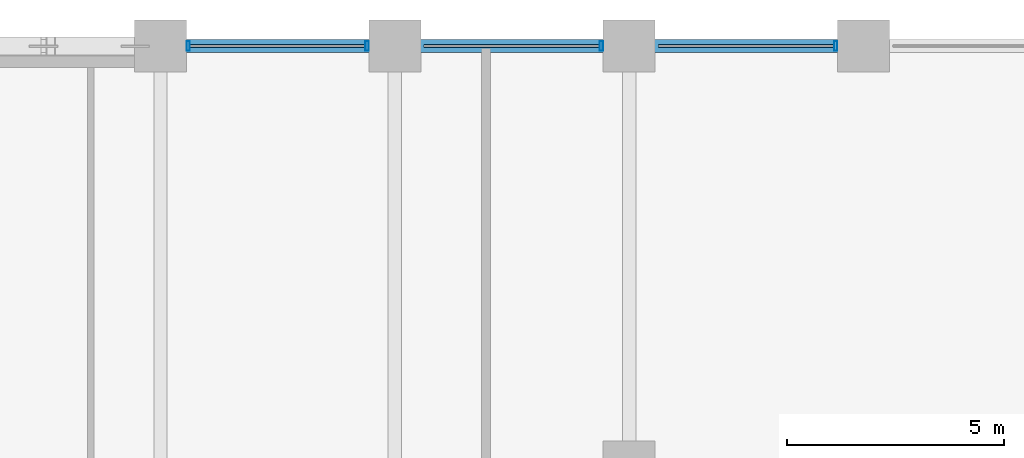
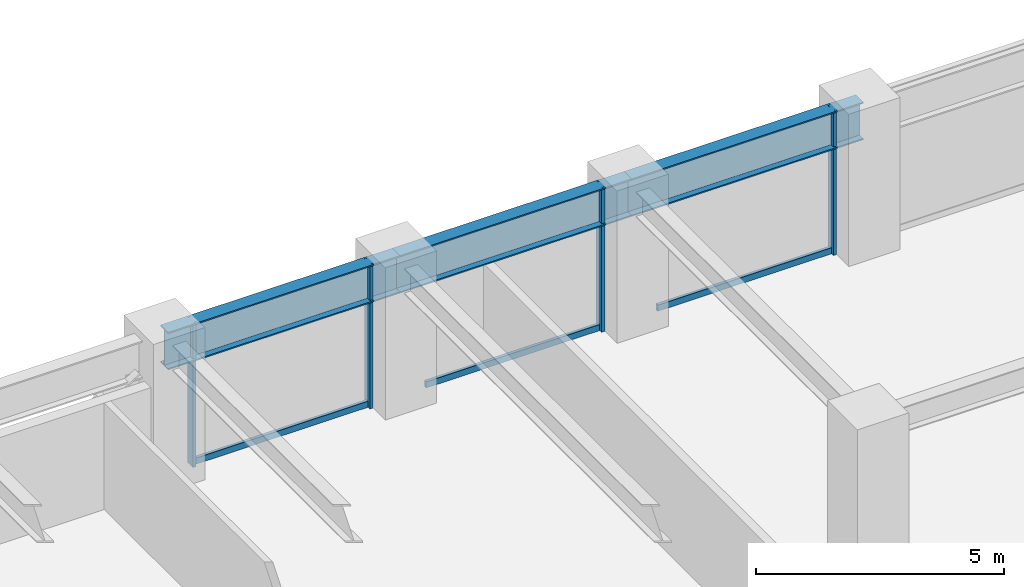
# One storey, part 14 of 26: 7 members, 3 beams, 1 element without a shape of its own.
"""IFC4 building model written with IfcOpenShell, lengths in metres."""

from ifc_helpers import new_model, si_unit, direction, frame, origin, origin_2d, place, context, subcontext, project, spatial, hollow_rectangle, i_section, extrude, material, layer, layer_set, material_profile, profile_set, type_object, element, aggregate, save


model = new_model("IFC4")

# Units and contexts
model_context = context("Model", 3, precision=1e-05, world=origin(), true_north=direction((0.0, 1.0)))
body_context = subcontext(model_context, "Body", "Model", "MODEL_VIEW")
ifc_project = project(units=[si_unit("LENGTHUNIT", "METRE"), si_unit("AREAUNIT", "SQUARE_METRE"), si_unit("VOLUMEUNIT", "CUBIC_METRE"), si_unit("PLANEANGLEUNIT", "RADIAN"), si_unit("MASSUNIT", "GRAM", prefix="KILO")], contexts=[model_context])

# Site, building, storey
site_placement = place(None, origin())
site = spatial("IfcSite", under=ifc_project, at=site_placement, CompositionType="ELEMENT")
building_placement = place(site_placement, origin())
building = spatial("IfcBuilding", under=site, at=building_placement, Name="Surkhivell Harbour Commons", CompositionType="ELEMENT")
storey_placement = place(building_placement, frame((0.0, 0.0, 71.25)))
storey = spatial("IfcBuildingStorey", under=building, at=storey_placement, Name="L18", CompositionType="ELEMENT", Elevation=71.25)

# Beams
ifc_material_1 = material(Name="Steel S460", Category="steel")
ifc_material_profile_1 = material_profile(ifc_material_1, i_section(OverallWidth=0.30810546875, OverallDepth=0.927001953125, WebThickness=0.01953125, FlangeThickness=0.031982421875, at=origin_2d()), Name="UB914x305x289")
ifc_profile_set_1 = profile_set([ifc_material_profile_1], Name="Steel S460")
beam_type = type_object("IfcBeamType", Name="BM-SPN-914B", PredefinedType="SPANDREL", material=ifc_profile_set_1)
beam_1_placement = place(storey_placement, frame((5.39990234375, 25.89990234375, 3.1064453125), z_axis=(1.0, 0.0, 0.0), x_axis=(0.0, 1.0, 0.0)))
element("IfcBeam", 1, at=beam_1_placement, inside=storey, type_object=beam_type, Name="L18 Tube Spandrel (5.4,25.9)", PredefinedType="SPANDREL", context=body_context, shape_type="SweptSolid", body=[
    extrude(i_section(OverallWidth=0.30810546875, OverallDepth=0.927001953125, WebThickness=0.01953125, FlangeThickness=0.031982421875, at=origin_2d()), origin(), (0.0, 0.0, 1.0), 5.400146484375),
])
beam_2_placement = place(storey_placement, frame((10.800048828125, 25.89990234375, 3.1064453125), z_axis=(1.0, 0.0, 0.0), x_axis=(0.0, 1.0, 0.0)))
element("IfcBeam", 2, at=beam_2_placement, inside=storey, type_object=beam_type, Name="L18 Tube Spandrel (10.8,25.9)", PredefinedType="SPANDREL", context=body_context, shape_type="SweptSolid", body=[
    extrude(i_section(OverallWidth=0.30810546875, OverallDepth=0.927001953125, WebThickness=0.01953125, FlangeThickness=0.031982421875, at=origin_2d()), origin(), (0.0, 0.0, 1.0), 5.39990234375),
])
beam_3_placement = place(storey_placement, frame((16.199951171875, 25.89990234375, 3.1064453125), z_axis=(1.0, 0.0, 0.0), x_axis=(0.0, 1.0, 0.0)))
element("IfcBeam", 3, at=beam_3_placement, inside=storey, type_object=beam_type, Name="L18 Tube Spandrel (16.2,25.9)", PredefinedType="SPANDREL", context=body_context, shape_type="SweptSolid", body=[
    extrude(i_section(OverallWidth=0.30810546875, OverallDepth=0.927001953125, WebThickness=0.01953125, FlangeThickness=0.031982421875, at=origin_2d()), origin(), (0.0, 0.0, 1.0), 5.400146484375),
])

# Curtain wall, members
ifc_material_2 = material(Name="Anodised pale-metal aluminium and insulated glazing", Category="aluminium")
ifc_layer = layer(ifc_material_2, 0.219970703125)
ifc_layer_set = layer_set([ifc_layer], Name="Anodised pale-metal aluminium and insulated glazing")
curtain_wall_type = type_object("IfcCurtainWallType", Name="CW-SYS-Z1", PredefinedType="NOTDEFINED", material=ifc_layer_set)
curtain_wall_placement = place(storey_placement, origin())
curtain_wall = element("IfcCurtainWall", 4, at=curtain_wall_placement, inside=storey, type_object=curtain_wall_type, Name="L18 Curtain Wall CW-L18-E07S1", PredefinedType="NOTDEFINED")
ifc_material_3 = material(Name="Anodised pale-metal aluminium alloy 6063-T6", Category="aluminium")
ifc_material_profile_2 = material_profile(ifc_material_3, hollow_rectangle(XDim=0.074951171875, YDim=0.219970703125, WallThickness=0.00390625, at=origin_2d()), Name="ALU-MULL-75x220")
ifc_profile_set_2 = profile_set([ifc_material_profile_2], Name="Anodised pale-metal aluminium alloy 6063-T6")
member_type_1 = type_object("IfcMemberType", Name="CWM-220", PredefinedType="MULLION", material=ifc_profile_set_2)
member_1_placement = place(storey_placement, frame((20.96044921875, 25.89990234375, 0.0), z_axis=(0.0, 0.0, 1.0), x_axis=(-1.0, 0.0, 0.0)))
member_1 = element("IfcMember", 5, at=member_1_placement, type_object=member_type_1, Name="CW-Z1 mullion 2", PredefinedType="MULLION", context=body_context, shape_type="SweptSolid", body=[
    extrude(hollow_rectangle(XDim=0.074951171875, YDim=0.219970703125, WallThickness=0.00390625, at=origin_2d()), origin(), (0.0, 0.0, 1.0), 3.570068359375),
])
member_2_placement = place(storey_placement, frame((15.560546875, 25.89990234375, 0.0), z_axis=(0.0, 0.0, 1.0), x_axis=(-1.0, 0.0, 0.0)))
member_2 = element("IfcMember", 6, at=member_2_placement, type_object=member_type_1, Name="CW-Z1 mullion 3", PredefinedType="MULLION", context=body_context, shape_type="SweptSolid", body=[
    extrude(hollow_rectangle(XDim=0.074951171875, YDim=0.219970703125, WallThickness=0.00390625, at=origin_2d()), origin(), (0.0, 0.0, 1.0), 3.570068359375),
])
member_3_placement = place(storey_placement, frame((10.160400390625, 25.89990234375, 0.0), z_axis=(0.0, 0.0, 1.0), x_axis=(-1.0, 0.0, 0.0)))
member_3 = element("IfcMember", 7, at=member_3_placement, type_object=member_type_1, Name="CW-Z1 mullion 4", PredefinedType="MULLION", context=body_context, shape_type="SweptSolid", body=[
    extrude(hollow_rectangle(XDim=0.074951171875, YDim=0.219970703125, WallThickness=0.00390625, at=origin_2d()), origin(), (0.0, 0.0, 1.0), 3.570068359375),
])
member_4_placement = place(storey_placement, frame((6.03955078125, 25.89990234375, 0.0), z_axis=(0.0, 0.0, 1.0), x_axis=(-1.0, 0.0, 0.0)))
member_4 = element("IfcMember", 8, at=member_4_placement, type_object=member_type_1, Name="CW-Z1 mullion 5", PredefinedType="MULLION", context=body_context, shape_type="SweptSolid", body=[
    extrude(hollow_rectangle(XDim=0.074951171875, YDim=0.219970703125, WallThickness=0.00390625, at=origin_2d()), origin(), (0.0, 0.0, 1.0), 3.570068359375),
])
ifc_material_profile_3 = material_profile(ifc_material_3, hollow_rectangle(XDim=0.074951171875, YDim=0.14990234375, WallThickness=0.00341796875, at=origin_2d()), Name="ALU-TRAN-75x150")
ifc_profile_set_3 = profile_set([ifc_material_profile_3], Name="Anodised pale-metal aluminium alloy 6063-T6")
member_type_2 = type_object("IfcMemberType", Name="CWT-150", PredefinedType="USERDEFINED", material=ifc_profile_set_3)
member_5_placement = place(storey_placement, frame((20.923095703125, 25.89990234375, 0.074951171875), z_axis=(-1.0, 0.0, 0.0), x_axis=(0.0, -1.0, 0.0)))
member_5 = element("IfcMember", 9, at=member_5_placement, type_object=member_type_2, Name="CW-Z1 transom 2.1", ObjectType="TRANSOM", PredefinedType="USERDEFINED", context=body_context, shape_type="SweptSolid", body=[
    extrude(hollow_rectangle(XDim=0.074951171875, YDim=0.14990234375, WallThickness=0.00341796875, at=origin_2d()), origin(), (0.0, 0.0, 1.0), 4.046142578125),
])
member_6_placement = place(storey_placement, frame((15.52294921875, 25.89990234375, 0.074951171875), z_axis=(-1.0, 0.0, 0.0), x_axis=(0.0, -1.0, 0.0)))
member_6 = element("IfcMember", 10, at=member_6_placement, type_object=member_type_2, Name="CW-Z1 transom 3.1", ObjectType="TRANSOM", PredefinedType="USERDEFINED", context=body_context, shape_type="SweptSolid", body=[
    extrude(hollow_rectangle(XDim=0.074951171875, YDim=0.14990234375, WallThickness=0.00341796875, at=origin_2d()), origin(), (0.0, 0.0, 1.0), 4.0458984375),
])
member_7_placement = place(storey_placement, frame((10.123046875, 25.89990234375, 0.074951171875), z_axis=(-1.0, 0.0, 0.0), x_axis=(0.0, -1.0, 0.0)))
member_7 = element("IfcMember", 11, at=member_7_placement, type_object=member_type_2, Name="CW-Z1 transom 4.1", ObjectType="TRANSOM", PredefinedType="USERDEFINED", context=body_context, shape_type="SweptSolid", body=[
    extrude(hollow_rectangle(XDim=0.074951171875, YDim=0.14990234375, WallThickness=0.00341796875, at=origin_2d()), origin(), (0.0, 0.0, 1.0), 4.046142578125),
])
aggregate(curtain_wall, [member_1, member_5, member_2, member_6, member_3, member_4, member_7])

save(model, "model.ifc")
